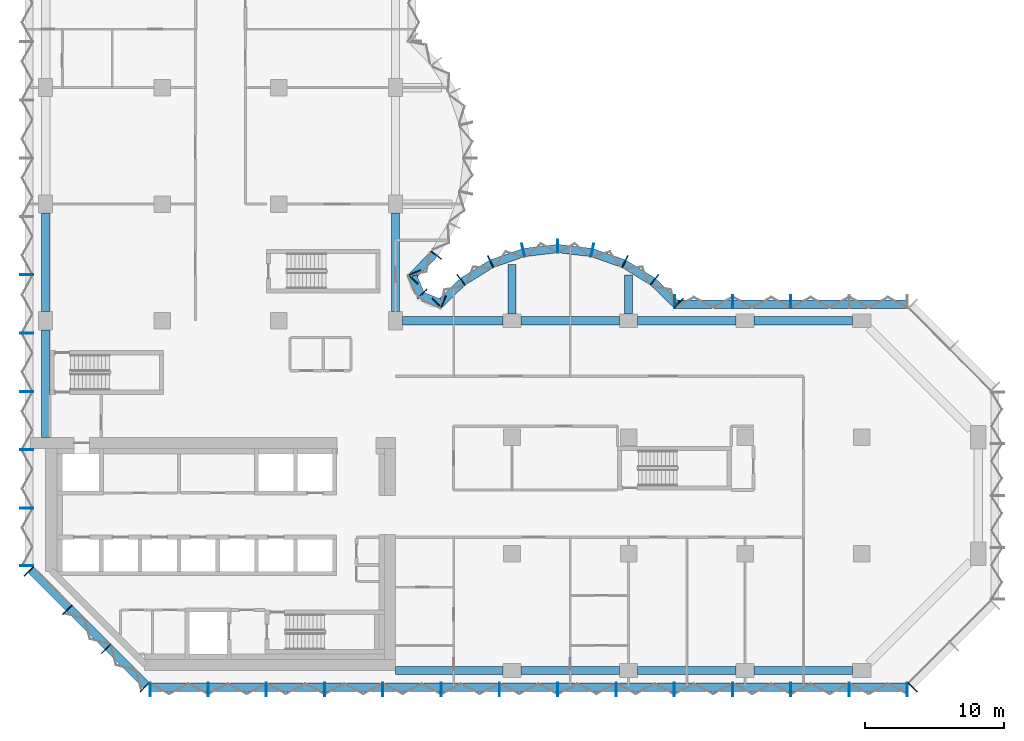
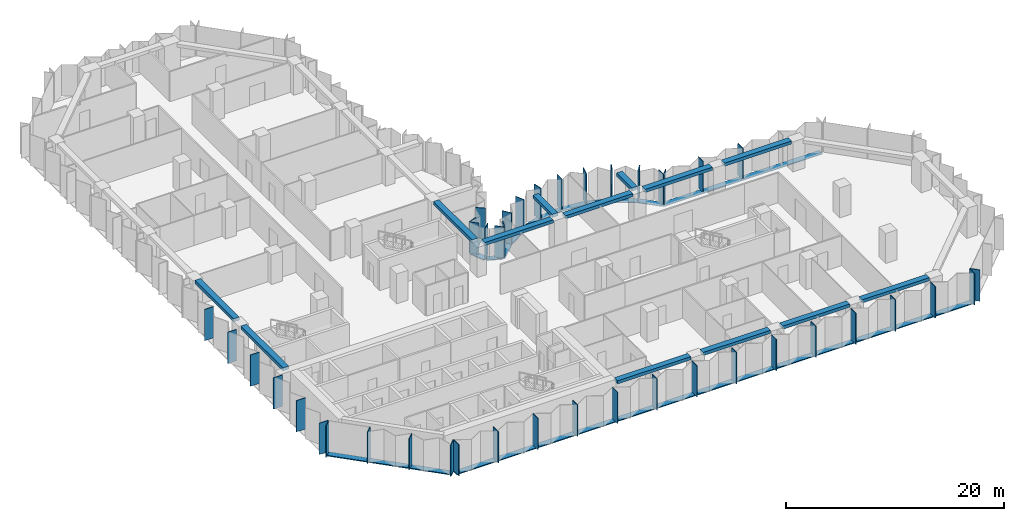
# One storey, part 2 of 13: 56 members, 13 beams, 8 elements without a shape of their own.
"""IFC4 building model written with IfcOpenShell, lengths in metres."""

from ifc_helpers import new_model, si_unit, direction, frame, origin, origin_2d, place, context, subcontext, project, spatial, rectangle, extrude, material, material_profile, profile_set, type_object, element, aggregate, save


model = new_model("IFC4")

# Units and contexts
model_context = context("Model", 3, precision=1e-05, world=origin(), true_north=direction((0.0, 1.0)))
body_context = subcontext(model_context, "Body", "Model", "MODEL_VIEW")
ifc_project = project(units=[si_unit("LENGTHUNIT", "METRE"), si_unit("AREAUNIT", "SQUARE_METRE"), si_unit("VOLUMEUNIT", "CUBIC_METRE"), si_unit("PLANEANGLEUNIT", "RADIAN"), si_unit("MASSUNIT", "GRAM", prefix="KILO")], contexts=[model_context])

# Site, building, storey
site_placement = place(None, origin())
site = spatial("IfcSite", under=ifc_project, at=site_placement, CompositionType="ELEMENT")
building_placement = place(site_placement, origin())
building = spatial("IfcBuilding", under=site, at=building_placement, Name="Brevane Broadcast Tower", CompositionType="ELEMENT")
storey_placement = place(building_placement, frame((0.0, 0.0, 106.10009765625)))
storey = spatial("IfcBuildingStorey", under=building, at=storey_placement, Name="L25", CompositionType="ELEMENT", Elevation=106.10009765625)

# Curtain wall, members
ifc_material_1 = material(Name="Aluminium 6063-T6 bronze anodised", Category="aluminium")
curtain_wall_type = type_object("IfcCurtainWallType", Name="CW-1 curtain wall", PredefinedType="NOTDEFINED", material=ifc_material_1)
curtain_wall_1_placement = place(storey_placement, origin())
curtain_wall_1 = element("IfcCurtainWall", 1, at=curtain_wall_1_placement, inside=storey, type_object=curtain_wall_type, Name="CW-1 typical tilted unit L25 south face", PredefinedType="NOTDEFINED")
ifc_material_profile_1 = material_profile(ifc_material_1, rectangle(XDim=0.949951171875, YDim=0.070068359375, at=origin_2d()), Name="RECT 70x950")
ifc_profile_set_1 = profile_set([ifc_material_profile_1], Name="Aluminium 6063-T6 bronze anodised")
member_type_1 = type_object("IfcMemberType", Name="CW-1 mullion 70x950", PredefinedType="MULLION", material=ifc_profile_set_1)
member_1_placement = place(storey_placement, frame((7.534912109375, -1.375, -0.150146484375), z_axis=(0.0, 0.0, 1.0), x_axis=(0.0, 1.0, 0.0)))
member_1 = element("IfcMember", 2, at=member_1_placement, type_object=member_type_1, Name="CW-1 mullion", PredefinedType="MULLION", context=body_context, shape_type="SweptSolid", body=[
    extrude(rectangle(XDim=0.949951171875, YDim=0.070068359375, at=origin_2d()), origin(), (0.0, 0.0, 1.0), 3.5),
])
member_2_placement = place(storey_placement, frame((11.699951171875, -1.375, -0.150146484375), z_axis=(0.0, 0.0, 1.0), x_axis=(0.0, 1.0, 0.0)))
member_2 = element("IfcMember", 3, at=member_2_placement, type_object=member_type_1, Name="CW-1 mullion", PredefinedType="MULLION", context=body_context, shape_type="SweptSolid", body=[
    extrude(rectangle(XDim=0.949951171875, YDim=0.070068359375, at=origin_2d()), origin(), (0.0, 0.0, 1.0), 3.5),
])
member_3_placement = place(storey_placement, frame((15.89990234375, -1.375, -0.150146484375), z_axis=(0.0, 0.0, 1.0), x_axis=(0.0, 1.0, 0.0)))
member_3 = element("IfcMember", 4, at=member_3_placement, type_object=member_type_1, Name="CW-1 mullion", PredefinedType="MULLION", context=body_context, shape_type="SweptSolid", body=[
    extrude(rectangle(XDim=0.949951171875, YDim=0.070068359375, at=origin_2d()), origin(), (0.0, 0.0, 1.0), 3.5),
])
member_4_placement = place(storey_placement, frame((20.10009765625, -1.375, -0.150146484375), z_axis=(0.0, 0.0, 1.0), x_axis=(0.0, 1.0, 0.0)))
member_4 = element("IfcMember", 5, at=member_4_placement, type_object=member_type_1, Name="CW-1 mullion", PredefinedType="MULLION", context=body_context, shape_type="SweptSolid", body=[
    extrude(rectangle(XDim=0.949951171875, YDim=0.070068359375, at=origin_2d()), origin(), (0.0, 0.0, 1.0), 3.5),
])
member_5_placement = place(storey_placement, frame((24.300048828125, -1.375, -0.150146484375), z_axis=(0.0, 0.0, 1.0), x_axis=(0.0, 1.0, 0.0)))
member_5 = element("IfcMember", 6, at=member_5_placement, type_object=member_type_1, Name="CW-1 mullion", PredefinedType="MULLION", context=body_context, shape_type="SweptSolid", body=[
    extrude(rectangle(XDim=0.949951171875, YDim=0.070068359375, at=origin_2d()), origin(), (0.0, 0.0, 1.0), 3.5),
])
member_6_placement = place(storey_placement, frame((28.5, -1.375, -0.150146484375), z_axis=(0.0, 0.0, 1.0), x_axis=(0.0, 1.0, 0.0)))
member_6 = element("IfcMember", 7, at=member_6_placement, type_object=member_type_1, Name="CW-1 mullion", PredefinedType="MULLION", context=body_context, shape_type="SweptSolid", body=[
    extrude(rectangle(XDim=0.949951171875, YDim=0.070068359375, at=origin_2d()), origin(), (0.0, 0.0, 1.0), 3.5),
])
member_7_placement = place(storey_placement, frame((32.699951171875, -1.375, -0.150146484375), z_axis=(0.0, 0.0, 1.0), x_axis=(0.0, 1.0, 0.0)))
member_7 = element("IfcMember", 8, at=member_7_placement, type_object=member_type_1, Name="CW-1 mullion", PredefinedType="MULLION", context=body_context, shape_type="SweptSolid", body=[
    extrude(rectangle(XDim=0.949951171875, YDim=0.070068359375, at=origin_2d()), origin(), (0.0, 0.0, 1.0), 3.5),
])
member_8_placement = place(storey_placement, frame((36.89990234375, -1.375, -0.150146484375), z_axis=(0.0, 0.0, 1.0), x_axis=(0.0, 1.0, 0.0)))
member_8 = element("IfcMember", 9, at=member_8_placement, type_object=member_type_1, Name="CW-1 mullion", PredefinedType="MULLION", context=body_context, shape_type="SweptSolid", body=[
    extrude(rectangle(XDim=0.949951171875, YDim=0.070068359375, at=origin_2d()), origin(), (0.0, 0.0, 1.0), 3.5),
])
member_9_placement = place(storey_placement, frame((41.10009765625, -1.375, -0.150146484375), z_axis=(0.0, 0.0, 1.0), x_axis=(0.0, 1.0, 0.0)))
member_9 = element("IfcMember", 10, at=member_9_placement, type_object=member_type_1, Name="CW-1 mullion", PredefinedType="MULLION", context=body_context, shape_type="SweptSolid", body=[
    extrude(rectangle(XDim=0.949951171875, YDim=0.070068359375, at=origin_2d()), origin(), (0.0, 0.0, 1.0), 3.5),
])
member_10_placement = place(storey_placement, frame((45.300048828125, -1.375, -0.150146484375), z_axis=(0.0, 0.0, 1.0), x_axis=(0.0, 1.0, 0.0)))
member_10 = element("IfcMember", 11, at=member_10_placement, type_object=member_type_1, Name="CW-1 mullion", PredefinedType="MULLION", context=body_context, shape_type="SweptSolid", body=[
    extrude(rectangle(XDim=0.949951171875, YDim=0.070068359375, at=origin_2d()), origin(), (0.0, 0.0, 1.0), 3.5),
])
member_11_placement = place(storey_placement, frame((49.5, -1.375, -0.150146484375), z_axis=(0.0, 0.0, 1.0), x_axis=(0.0, 1.0, 0.0)))
member_11 = element("IfcMember", 12, at=member_11_placement, type_object=member_type_1, Name="CW-1 mullion", PredefinedType="MULLION", context=body_context, shape_type="SweptSolid", body=[
    extrude(rectangle(XDim=0.949951171875, YDim=0.070068359375, at=origin_2d()), origin(), (0.0, 0.0, 1.0), 3.5),
])
member_12_placement = place(storey_placement, frame((53.699951171875, -1.375, -0.150146484375), z_axis=(0.0, 0.0, 1.0), x_axis=(0.0, 1.0, 0.0)))
member_12 = element("IfcMember", 13, at=member_12_placement, type_object=member_type_1, Name="CW-1 mullion", PredefinedType="MULLION", context=body_context, shape_type="SweptSolid", body=[
    extrude(rectangle(XDim=0.949951171875, YDim=0.070068359375, at=origin_2d()), origin(), (0.0, 0.0, 1.0), 3.5),
])
member_13_placement = place(storey_placement, frame((57.89990234375, -1.375, -0.150146484375), z_axis=(0.0, 0.0, 1.0), x_axis=(0.0, 1.0, 0.0)))
member_13 = element("IfcMember", 14, at=member_13_placement, type_object=member_type_1, Name="CW-1 mullion", PredefinedType="MULLION", context=body_context, shape_type="SweptSolid", body=[
    extrude(rectangle(XDim=0.949951171875, YDim=0.070068359375, at=origin_2d()), origin(), (0.0, 0.0, 1.0), 3.5),
])
member_14_placement = place(storey_placement, frame((62.06494140625, -1.375, -0.150146484375), z_axis=(0.0, 0.0, 1.0), x_axis=(0.0, 1.0, 0.0)))
member_14 = element("IfcMember", 15, at=member_14_placement, type_object=member_type_1, Name="CW-1 mullion", PredefinedType="MULLION", context=body_context, shape_type="SweptSolid", body=[
    extrude(rectangle(XDim=0.949951171875, YDim=0.070068359375, at=origin_2d()), origin(), (0.0, 0.0, 1.0), 3.5),
])

# Curtain wall, member
curtain_wall_2_placement = place(storey_placement, origin())
curtain_wall_2 = element("IfcCurtainWall", 16, at=curtain_wall_2_placement, inside=storey, type_object=curtain_wall_type, Name="CW-1 typical tilted unit L25 south-east chamfer", PredefinedType="NOTDEFINED")
member_15_placement = place(storey_placement, frame((62.460693359375, -1.211181640625, -0.150146484375), z_axis=(0.0, 0.0, 1.0), x_axis=(-0.707106781187, 0.707106781187, 0.0)))
member_15 = element("IfcMember", 17, at=member_15_placement, type_object=member_type_1, Name="CW-1 mullion", PredefinedType="MULLION", context=body_context, shape_type="SweptSolid", body=[
    extrude(rectangle(XDim=0.949951171875, YDim=0.070068359375, at=origin_2d()), origin(), (0.0, 0.0, 1.0), 3.5),
])
aggregate(curtain_wall_2, [member_15])

# Curtain wall, members
curtain_wall_3_placement = place(storey_placement, origin())
curtain_wall_3 = element("IfcCurtainWall", 18, at=curtain_wall_3_placement, inside=storey, type_object=curtain_wall_type, Name="CW-1 typical tilted unit L25 east arm north face", PredefinedType="NOTDEFINED")
member_16_placement = place(storey_placement, frame((53.699951171875, 26.574951171875, -0.150146484375), z_axis=(0.0, 0.0, 1.0), x_axis=(0.0, -1.0, 0.0)))
member_16 = element("IfcMember", 19, at=member_16_placement, type_object=member_type_1, Name="CW-1 mullion", PredefinedType="MULLION", context=body_context, shape_type="SweptSolid", body=[
    extrude(rectangle(XDim=0.949951171875, YDim=0.070068359375, at=origin_2d()), origin(), (0.0, 0.0, 1.0), 3.5),
])
member_17_placement = place(storey_placement, frame((49.5, 26.574951171875, -0.150146484375), z_axis=(0.0, 0.0, 1.0), x_axis=(0.0, -1.0, 0.0)))
member_17 = element("IfcMember", 20, at=member_17_placement, type_object=member_type_1, Name="CW-1 mullion", PredefinedType="MULLION", context=body_context, shape_type="SweptSolid", body=[
    extrude(rectangle(XDim=0.949951171875, YDim=0.070068359375, at=origin_2d()), origin(), (0.0, 0.0, 1.0), 3.5),
])
member_18_placement = place(storey_placement, frame((45.3349609375, 26.574951171875, -0.150146484375), z_axis=(0.0, 0.0, 1.0), x_axis=(0.0, -1.0, 0.0)))
member_18 = element("IfcMember", 21, at=member_18_placement, type_object=member_type_1, Name="CW-1 mullion", PredefinedType="MULLION", context=body_context, shape_type="SweptSolid", body=[
    extrude(rectangle(XDim=0.949951171875, YDim=0.070068359375, at=origin_2d()), origin(), (0.0, 0.0, 1.0), 3.5),
])

curtain_wall_4_placement = place(storey_placement, origin())
curtain_wall_4 = element("IfcCurtainWall", 22, at=curtain_wall_4_placement, inside=storey, type_object=curtain_wall_type, Name="CW-1 typical tilted unit L25 east bow", PredefinedType="NOTDEFINED")
member_19_placement = place(storey_placement, frame((45.60595703125, 26.465087890625, -0.150146484375), z_axis=(0.0, 0.0, 1.0), x_axis=(-0.696811941702, -0.717253872699, 0.0)))
member_19 = element("IfcMember", 23, at=member_19_placement, type_object=member_type_1, Name="CW-1 mullion", PredefinedType="MULLION", context=body_context, shape_type="SweptSolid", body=[
    extrude(rectangle(XDim=0.949951171875, YDim=0.070068359375, at=origin_2d()), origin(), (0.0, 0.0, 1.0), 3.5),
])
member_20_placement = place(storey_placement, frame((43.8720703125, 28.1455078125, -0.150146484375), z_axis=(0.0, 0.0, 1.0), x_axis=(-0.614769738617, -0.788706642853, 0.0)))
member_20 = element("IfcMember", 24, at=member_20_placement, type_object=member_type_1, Name="CW-1 mullion", PredefinedType="MULLION", context=body_context, shape_type="SweptSolid", body=[
    extrude(rectangle(XDim=0.949951171875, YDim=0.070068359375, at=origin_2d()), origin(), (0.0, 0.0, 1.0), 3.5),
])
member_21_placement = place(storey_placement, frame((41.746826171875, 29.4580078125, -0.150146484375), z_axis=(0.0, 0.0, 1.0), x_axis=(-0.429933601163, -0.902860508933, 0.0)))
member_21 = element("IfcMember", 25, at=member_21_placement, type_object=member_type_1, Name="CW-1 mullion", PredefinedType="MULLION", context=body_context, shape_type="SweptSolid", body=[
    extrude(rectangle(XDim=0.949951171875, YDim=0.070068359375, at=origin_2d()), origin(), (0.0, 0.0, 1.0), 3.5),
])
member_22_placement = place(storey_placement, frame((39.38818359375, 30.28076171875, -0.150146484375), z_axis=(0.0, 0.0, 1.0), x_axis=(-0.224806482215, -0.974403430594, 0.0)))
member_22 = element("IfcMember", 26, at=member_22_placement, type_object=member_type_1, Name="CW-1 mullion", PredefinedType="MULLION", context=body_context, shape_type="SweptSolid", body=[
    extrude(rectangle(XDim=0.949951171875, YDim=0.070068359375, at=origin_2d()), origin(), (0.0, 0.0, 1.0), 3.5),
])
member_23_placement = place(storey_placement, frame((36.89990234375, 30.574951171875, -0.150146484375), z_axis=(0.0, 0.0, 1.0), x_axis=(0.0, -1.0, 0.0)))
member_23 = element("IfcMember", 27, at=member_23_placement, type_object=member_type_1, Name="CW-1 mullion", PredefinedType="MULLION", context=body_context, shape_type="SweptSolid", body=[
    extrude(rectangle(XDim=0.949951171875, YDim=0.070068359375, at=origin_2d()), origin(), (0.0, 0.0, 1.0), 3.5),
])
member_24_placement = place(storey_placement, frame((34.411865234375, 30.28076171875, -0.150146484375), z_axis=(0.0, 0.0, 1.0), x_axis=(0.224806482215, -0.974403430594, 0.0)))
member_24 = element("IfcMember", 28, at=member_24_placement, type_object=member_type_1, Name="CW-1 mullion", PredefinedType="MULLION", context=body_context, shape_type="SweptSolid", body=[
    extrude(rectangle(XDim=0.949951171875, YDim=0.070068359375, at=origin_2d()), origin(), (0.0, 0.0, 1.0), 3.5),
])
member_25_placement = place(storey_placement, frame((32.05322265625, 29.4580078125, -0.150146484375), z_axis=(0.0, 0.0, 1.0), x_axis=(0.429933601163, -0.902860508933, 0.0)))
member_25 = element("IfcMember", 29, at=member_25_placement, type_object=member_type_1, Name="CW-1 mullion", PredefinedType="MULLION", context=body_context, shape_type="SweptSolid", body=[
    extrude(rectangle(XDim=0.949951171875, YDim=0.070068359375, at=origin_2d()), origin(), (0.0, 0.0, 1.0), 3.5),
])
member_26_placement = place(storey_placement, frame((29.927978515625, 28.1455078125, -0.150146484375), z_axis=(0.0, 0.0, 1.0), x_axis=(0.614769738617, -0.788706642853, 0.0)))
member_26 = element("IfcMember", 30, at=member_26_placement, type_object=member_type_1, Name="CW-1 mullion", PredefinedType="MULLION", context=body_context, shape_type="SweptSolid", body=[
    extrude(rectangle(XDim=0.949951171875, YDim=0.070068359375, at=origin_2d()), origin(), (0.0, 0.0, 1.0), 3.5),
])
member_27_placement = place(storey_placement, frame((28.194091796875, 26.465087890625, -0.150146484375), z_axis=(0.0, 0.0, 1.0), x_axis=(0.696811941702, -0.717253872699, 0.0)))
member_27 = element("IfcMember", 31, at=member_27_placement, type_object=member_type_1, Name="CW-1 mullion", PredefinedType="MULLION", context=body_context, shape_type="SweptSolid", body=[
    extrude(rectangle(XDim=0.949951171875, YDim=0.070068359375, at=origin_2d()), origin(), (0.0, 0.0, 1.0), 3.5),
])

curtain_wall_5_placement = place(storey_placement, origin())
curtain_wall_5 = element("IfcCurtainWall", 32, at=curtain_wall_5_placement, inside=storey, type_object=curtain_wall_type, Name="CW-1 typical tilted unit L25 inner corner", PredefinedType="NOTDEFINED")
member_28_placement = place(storey_placement, frame((28.6494140625, 26.55224609375, -0.150146484375), z_axis=(0.0, 0.0, 1.0), x_axis=(-0.382683612978, -0.923879457699, 0.0)))
member_28 = element("IfcMember", 33, at=member_28_placement, type_object=member_type_1, Name="CW-1 mullion", PredefinedType="MULLION", context=body_context, shape_type="SweptSolid", body=[
    extrude(rectangle(XDim=0.949951171875, YDim=0.070068359375, at=origin_2d()), origin(), (0.0, 0.0, 1.0), 3.5),
])
member_29_placement = place(storey_placement, frame((27.138916015625, 27.138916015625, -0.150146484375), z_axis=(0.0, 0.0, 1.0), x_axis=(-0.707106781187, -0.707106781187, 0.0)))
member_29 = element("IfcMember", 34, at=member_29_placement, type_object=member_type_1, Name="CW-1 mullion", PredefinedType="MULLION", context=body_context, shape_type="SweptSolid", body=[
    extrude(rectangle(XDim=0.949951171875, YDim=0.070068359375, at=origin_2d()), origin(), (0.0, 0.0, 1.0), 3.5),
])
member_30_placement = place(storey_placement, frame((26.55224609375, 28.6494140625, -0.150146484375), z_axis=(0.0, 0.0, 1.0), x_axis=(-0.923879457699, -0.382683612978, 0.0)))
member_30 = element("IfcMember", 35, at=member_30_placement, type_object=member_type_1, Name="CW-1 mullion", PredefinedType="MULLION", context=body_context, shape_type="SweptSolid", body=[
    extrude(rectangle(XDim=0.949951171875, YDim=0.070068359375, at=origin_2d()), origin(), (0.0, 0.0, 1.0), 3.5),
])

curtain_wall_6_placement = place(storey_placement, origin())
curtain_wall_6 = element("IfcCurtainWall", 36, at=curtain_wall_6_placement, inside=storey, type_object=curtain_wall_type, Name="CW-1 typical tilted unit L25 north bow", PredefinedType="NOTDEFINED")
member_31_placement = place(storey_placement, frame((26.465087890625, 28.194091796875, -0.150146484375), z_axis=(0.0, 0.0, 1.0), x_axis=(-0.717253872699, 0.696811941702, 0.0)))
member_31 = element("IfcMember", 37, at=member_31_placement, type_object=member_type_1, Name="CW-1 mullion", PredefinedType="MULLION", context=body_context, shape_type="SweptSolid", body=[
    extrude(rectangle(XDim=0.949951171875, YDim=0.070068359375, at=origin_2d()), origin(), (0.0, 0.0, 1.0), 3.5),
])
member_32_placement = place(storey_placement, frame((28.1455078125, 29.927978515625, -0.150146484375), z_axis=(0.0, 0.0, 1.0), x_axis=(-0.788706642853, 0.614769738617, 0.0)))
member_32 = element("IfcMember", 38, at=member_32_placement, type_object=member_type_1, Name="CW-1 mullion", PredefinedType="MULLION", context=body_context, shape_type="SweptSolid", body=[
    extrude(rectangle(XDim=0.949951171875, YDim=0.070068359375, at=origin_2d()), origin(), (0.0, 0.0, 1.0), 3.5),
])

curtain_wall_7_placement = place(storey_placement, origin())
curtain_wall_7 = element("IfcCurtainWall", 39, at=curtain_wall_7_placement, inside=storey, type_object=curtain_wall_type, Name="CW-1 typical tilted unit L25 west face", PredefinedType="NOTDEFINED")
member_33_placement = place(storey_placement, frame((-1.375, 28.5, -0.150146484375), z_axis=(0.0, 0.0, 1.0), x_axis=(1.0, 0.0, 0.0)))
member_33 = element("IfcMember", 40, at=member_33_placement, type_object=member_type_1, Name="CW-1 mullion", PredefinedType="MULLION", context=body_context, shape_type="SweptSolid", body=[
    extrude(rectangle(XDim=0.949951171875, YDim=0.070068359375, at=origin_2d()), origin(), (0.0, 0.0, 1.0), 3.5),
])
member_34_placement = place(storey_placement, frame((-1.375, 24.300048828125, -0.150146484375), z_axis=(0.0, 0.0, 1.0), x_axis=(1.0, 0.0, 0.0)))
member_34 = element("IfcMember", 41, at=member_34_placement, type_object=member_type_1, Name="CW-1 mullion", PredefinedType="MULLION", context=body_context, shape_type="SweptSolid", body=[
    extrude(rectangle(XDim=0.949951171875, YDim=0.070068359375, at=origin_2d()), origin(), (0.0, 0.0, 1.0), 3.5),
])
member_35_placement = place(storey_placement, frame((-1.375, 20.10009765625, -0.150146484375), z_axis=(0.0, 0.0, 1.0), x_axis=(1.0, 0.0, 0.0)))
member_35 = element("IfcMember", 42, at=member_35_placement, type_object=member_type_1, Name="CW-1 mullion", PredefinedType="MULLION", context=body_context, shape_type="SweptSolid", body=[
    extrude(rectangle(XDim=0.949951171875, YDim=0.070068359375, at=origin_2d()), origin(), (0.0, 0.0, 1.0), 3.5),
])
member_36_placement = place(storey_placement, frame((-1.375, 15.89990234375, -0.150146484375), z_axis=(0.0, 0.0, 1.0), x_axis=(1.0, 0.0, 0.0)))
member_36 = element("IfcMember", 43, at=member_36_placement, type_object=member_type_1, Name="CW-1 mullion", PredefinedType="MULLION", context=body_context, shape_type="SweptSolid", body=[
    extrude(rectangle(XDim=0.949951171875, YDim=0.070068359375, at=origin_2d()), origin(), (0.0, 0.0, 1.0), 3.5),
])
member_37_placement = place(storey_placement, frame((-1.375, 11.699951171875, -0.150146484375), z_axis=(0.0, 0.0, 1.0), x_axis=(1.0, 0.0, 0.0)))
member_37 = element("IfcMember", 44, at=member_37_placement, type_object=member_type_1, Name="CW-1 mullion", PredefinedType="MULLION", context=body_context, shape_type="SweptSolid", body=[
    extrude(rectangle(XDim=0.949951171875, YDim=0.070068359375, at=origin_2d()), origin(), (0.0, 0.0, 1.0), 3.5),
])
member_38_placement = place(storey_placement, frame((-1.375, 7.534912109375, -0.150146484375), z_axis=(0.0, 0.0, 1.0), x_axis=(1.0, 0.0, 0.0)))
member_38 = element("IfcMember", 45, at=member_38_placement, type_object=member_type_1, Name="CW-1 mullion", PredefinedType="MULLION", context=body_context, shape_type="SweptSolid", body=[
    extrude(rectangle(XDim=0.949951171875, YDim=0.070068359375, at=origin_2d()), origin(), (0.0, 0.0, 1.0), 3.5),
])
aggregate(curtain_wall_7, [member_33, member_34, member_35, member_36, member_37, member_38])

curtain_wall_8_placement = place(storey_placement, origin())
curtain_wall_8 = element("IfcCurtainWall", 46, at=curtain_wall_8_placement, inside=storey, type_object=curtain_wall_type, Name="CW-1 typical tilted unit L25 south-west chamfer", PredefinedType="NOTDEFINED")
member_39_placement = place(storey_placement, frame((-1.211181640625, 7.139404296875, -0.150146484375), z_axis=(0.0, 0.0, 1.0), x_axis=(0.707106781187, 0.707106781187, 0.0)))
member_39 = element("IfcMember", 47, at=member_39_placement, type_object=member_type_1, Name="CW-1 mullion", PredefinedType="MULLION", context=body_context, shape_type="SweptSolid", body=[
    extrude(rectangle(XDim=0.949951171875, YDim=0.070068359375, at=origin_2d()), origin(), (0.0, 0.0, 1.0), 3.5),
])
member_40_placement = place(storey_placement, frame((1.564208984375, 4.364013671875, -0.150146484375), z_axis=(0.0, 0.0, 1.0), x_axis=(0.707106781187, 0.707106781187, 0.0)))
member_40 = element("IfcMember", 48, at=member_40_placement, type_object=member_type_1, Name="CW-1 mullion", PredefinedType="MULLION", context=body_context, shape_type="SweptSolid", body=[
    extrude(rectangle(XDim=0.949951171875, YDim=0.070068359375, at=origin_2d()), origin(), (0.0, 0.0, 1.0), 3.5),
])
member_41_placement = place(storey_placement, frame((4.364013671875, 1.564208984375, -0.150146484375), z_axis=(0.0, 0.0, 1.0), x_axis=(0.707106781187, 0.707106781187, 0.0)))
member_41 = element("IfcMember", 49, at=member_41_placement, type_object=member_type_1, Name="CW-1 mullion", PredefinedType="MULLION", context=body_context, shape_type="SweptSolid", body=[
    extrude(rectangle(XDim=0.949951171875, YDim=0.070068359375, at=origin_2d()), origin(), (0.0, 0.0, 1.0), 3.5),
])
member_42_placement = place(storey_placement, frame((7.139404296875, -1.211181640625, -0.150146484375), z_axis=(0.0, 0.0, 1.0), x_axis=(0.707106781187, 0.707106781187, 0.0)))
member_42 = element("IfcMember", 50, at=member_42_placement, type_object=member_type_1, Name="CW-1 mullion", PredefinedType="MULLION", context=body_context, shape_type="SweptSolid", body=[
    extrude(rectangle(XDim=0.949951171875, YDim=0.070068359375, at=origin_2d()), origin(), (0.0, 0.0, 1.0), 3.5),
])

# Member
ifc_material_profile_2 = material_profile(ifc_material_1, rectangle(XDim=0.60009765625, YDim=0.10009765625, at=origin_2d()), Name="RECT 100x600")
ifc_profile_set_2 = profile_set([ifc_material_profile_2], Name="Aluminium 6063-T6 bronze anodised")
member_type_2 = type_object("IfcMemberType", Name="CW-1 transom 100x600", PredefinedType="USERDEFINED", material=ifc_profile_set_2)
member_43_placement = place(storey_placement, frame((7.5, -1.199951171875, -0.2001953125), z_axis=(1.0, 0.0, 0.0), x_axis=(0.0, 1.0, 0.0)))
member_43 = element("IfcMember", 51, at=member_43_placement, type_object=member_type_2, Name="CW-1 transom", ObjectType="TRANSOM", PredefinedType="USERDEFINED", context=body_context, shape_type="SweptSolid", body=[
    extrude(rectangle(XDim=0.60009765625, YDim=0.10009765625, at=origin_2d()), origin(), (0.0, 0.0, 1.0), 54.60009765625),
])

aggregate(curtain_wall_1, [member_1, member_2, member_3, member_4, member_5, member_6, member_7, member_8, member_9, member_10, member_11, member_12, member_13, member_14, member_43])

member_44_placement = place(storey_placement, frame((62.10009765625, 26.39990234375, -0.2001953125), z_axis=(-1.0, 0.0, 0.0), x_axis=(0.0, -1.0, 0.0)))
member_44 = element("IfcMember", 52, at=member_44_placement, type_object=member_type_2, Name="CW-1 transom", ObjectType="TRANSOM", PredefinedType="USERDEFINED", context=body_context, shape_type="SweptSolid", body=[
    extrude(rectangle(XDim=0.60009765625, YDim=0.10009765625, at=origin_2d()), origin(), (0.0, 0.0, 1.0), 16.800048828125),
])

aggregate(curtain_wall_3, [member_16, member_17, member_18, member_44])

member_45_placement = place(storey_placement, frame((45.412841796875, 26.407958984375, -0.2001953125), z_axis=(-0.71724215871, 0.696823999134, 0.0), x_axis=(-0.696823999134, -0.71724215871, 0.0)))
member_45 = element("IfcMember", 53, at=member_45_placement, type_object=member_type_2, Name="CW-1 transom", ObjectType="TRANSOM", PredefinedType="USERDEFINED", context=body_context, shape_type="SweptSolid", body=[
    extrude(rectangle(XDim=0.60009765625, YDim=0.10009765625, at=origin_2d()), origin(), (0.0, 0.0, 1.0), 2.247802734375),
])

member_46_placement = place(storey_placement, frame((43.7421875, 28.023193359375, -0.2001953125), z_axis=(-0.850810063131, 0.525473345162, 0.0), x_axis=(-0.525473345162, -0.850810063131, 0.0)))
member_46 = element("IfcMember", 54, at=member_46_placement, type_object=member_type_2, Name="CW-1 transom", ObjectType="TRANSOM", PredefinedType="USERDEFINED", context=body_context, shape_type="SweptSolid", body=[
    extrude(rectangle(XDim=0.60009765625, YDim=0.10009765625, at=origin_2d()), origin(), (0.0, 0.0, 1.0), 2.39453125),
])

member_47_placement = place(storey_placement, frame((41.63623046875, 29.314208984375, -0.2001953125), z_axis=(-0.944197969542, 0.329378497041, 0.0), x_axis=(-0.329378497041, -0.944197969542, 0.0)))
member_47 = element("IfcMember", 55, at=member_47_placement, type_object=member_type_2, Name="CW-1 transom", ObjectType="TRANSOM", PredefinedType="USERDEFINED", context=body_context, shape_type="SweptSolid", body=[
    extrude(rectangle(XDim=0.60009765625, YDim=0.10009765625, at=origin_2d()), origin(), (0.0, 0.0, 1.0), 2.394775390625),
])

member_48_placement = place(storey_placement, frame((39.30029296875, 30.117431640625, -0.2001953125), z_axis=(-0.993062061831, 0.117591417, 0.0), x_axis=(-0.117591417, -0.993062061831, 0.0)))
member_48 = element("IfcMember", 56, at=member_48_placement, type_object=member_type_2, Name="CW-1 transom", ObjectType="TRANSOM", PredefinedType="USERDEFINED", context=body_context, shape_type="SweptSolid", body=[
    extrude(rectangle(XDim=0.60009765625, YDim=0.10009765625, at=origin_2d()), origin(), (0.0, 0.0, 1.0), 2.39794921875),
])

member_49_placement = place(storey_placement, frame((36.880859375, 30.3994140625, -0.2001953125), z_axis=(-0.993060653805, -0.117603307202, 0.0), x_axis=(0.117603307202, -0.993060653805, 0.0)))
member_49 = element("IfcMember", 57, at=member_49_placement, type_object=member_type_2, Name="CW-1 transom", ObjectType="TRANSOM", PredefinedType="USERDEFINED", context=body_context, shape_type="SweptSolid", body=[
    extrude(rectangle(XDim=0.60009765625, YDim=0.10009765625, at=origin_2d()), origin(), (0.0, 0.0, 1.0), 2.397705078125),
])

member_50_placement = place(storey_placement, frame((34.425048828125, 30.10302734375, -0.2001953125), z_axis=(-0.944197969542, -0.329378497041, 0.0), x_axis=(0.329378497041, -0.944197969542, 0.0)))
member_50 = element("IfcMember", 58, at=member_50_placement, type_object=member_type_2, Name="CW-1 transom", ObjectType="TRANSOM", PredefinedType="USERDEFINED", context=body_context, shape_type="SweptSolid", body=[
    extrude(rectangle(XDim=0.60009765625, YDim=0.10009765625, at=origin_2d()), origin(), (0.0, 0.0, 1.0), 2.394775390625),
])

member_51_placement = place(storey_placement, frame((32.09521484375, 29.281494140625, -0.2001953125), z_axis=(-0.850838211365, -0.525427766759, 0.0), x_axis=(0.525427766759, -0.850838211365, 0.0)))
member_51 = element("IfcMember", 59, at=member_51_placement, type_object=member_type_2, Name="CW-1 transom", ObjectType="TRANSOM", PredefinedType="USERDEFINED", context=body_context, shape_type="SweptSolid", body=[
    extrude(rectangle(XDim=0.60009765625, YDim=0.10009765625, at=origin_2d()), origin(), (0.0, 0.0, 1.0), 2.394775390625),
])

member_52_placement = place(storey_placement, frame((29.99951171875, 27.974365234375, -0.2001953125), z_axis=(-0.71724215871, -0.696823999134, 0.0), x_axis=(0.696823999134, -0.71724215871, 0.0)))
member_52 = element("IfcMember", 60, at=member_52_placement, type_object=member_type_2, Name="CW-1 transom", ObjectType="TRANSOM", PredefinedType="USERDEFINED", context=body_context, shape_type="SweptSolid", body=[
    extrude(rectangle(XDim=0.60009765625, YDim=0.10009765625, at=origin_2d()), origin(), (0.0, 0.0, 1.0), 2.247802734375),
])

aggregate(curtain_wall_4, [member_19, member_20, member_21, member_22, member_23, member_24, member_25, member_26, member_27, member_45, member_46, member_47, member_48, member_49, member_50, member_51, member_52])

member_53_placement = place(storey_placement, frame((28.528076171875, 26.40673828125, -0.2001953125), z_axis=(-0.923883243627, 0.382674472816, 0.0), x_axis=(-0.382674472816, -0.923883243627, 0.0)))
member_53 = element("IfcMember", 61, at=member_53_placement, type_object=member_type_2, Name="CW-1 transom", ObjectType="TRANSOM", PredefinedType="USERDEFINED", context=body_context, shape_type="SweptSolid", body=[
    extrude(rectangle(XDim=0.60009765625, YDim=0.10009765625, at=origin_2d()), origin(), (0.0, 0.0, 1.0), 1.536865234375),
])

member_54_placement = place(storey_placement, frame((27.039794921875, 27.0, -0.2001953125), z_axis=(-0.382674472816, 0.923883243627, 0.0), x_axis=(-0.923883243627, -0.382674472816, 0.0)))
member_54 = element("IfcMember", 62, at=member_54_placement, type_object=member_type_2, Name="CW-1 transom", ObjectType="TRANSOM", PredefinedType="USERDEFINED", context=body_context, shape_type="SweptSolid", body=[
    extrude(rectangle(XDim=0.60009765625, YDim=0.10009765625, at=origin_2d()), origin(), (0.0, 0.0, 1.0), 1.536865234375),
])

aggregate(curtain_wall_5, [member_28, member_29, member_30, member_53, member_54])

member_55_placement = place(storey_placement, frame((26.407958984375, 28.38720703125, -0.2001953125), z_axis=(0.696823999134, 0.71724215871, 0.0), x_axis=(-0.71724215871, 0.696823999134, 0.0)))
member_55 = element("IfcMember", 63, at=member_55_placement, type_object=member_type_2, Name="CW-1 transom", ObjectType="TRANSOM", PredefinedType="USERDEFINED", context=body_context, shape_type="SweptSolid", body=[
    extrude(rectangle(XDim=0.60009765625, YDim=0.10009765625, at=origin_2d()), origin(), (0.0, 0.0, 1.0), 2.247802734375),
])

aggregate(curtain_wall_6, [member_31, member_32, member_55])

member_56_placement = place(storey_placement, frame((-1.112060546875, 7.287841796875, -0.2001953125), z_axis=(0.707106781187, -0.707106781187, 0.0), x_axis=(0.707106781187, 0.707106781187, 0.0)))
member_56 = element("IfcMember", 64, at=member_56_placement, type_object=member_type_2, Name="CW-1 transom", ObjectType="TRANSOM", PredefinedType="USERDEFINED", context=body_context, shape_type="SweptSolid", body=[
    extrude(rectangle(XDim=0.60009765625, YDim=0.10009765625, at=origin_2d()), origin(), (0.0, 0.0, 1.0), 11.879150390625),
])

aggregate(curtain_wall_8, [member_39, member_40, member_41, member_42, member_56])

# Beams
ifc_material_2 = material(Name="Concrete C40/50", Category="concrete")
ifc_material_profile_3 = material_profile(ifc_material_2, rectangle(XDim=0.60009765625, YDim=0.35009765625, at=origin_2d()), Name="RC 600x350")
ifc_profile_set_3 = profile_set([ifc_material_profile_3], Name="Concrete C40/50")
beam_type_1 = type_object("IfcBeamType", Name="RC BRACKET BEAM 600x350 C40/50", PredefinedType="BEAM", material=ifc_profile_set_3)
beam_1_placement = place(storey_placement, frame((33.60009765625, 25.699951171875, 3.1748046875), z_axis=(0.0, 1.0, 0.0), x_axis=(-1.0, 0.0, 0.0)))
element("IfcBeam", 65, at=beam_1_placement, inside=storey, type_object=beam_type_1, Name="EB2 L25-3", PredefinedType="BEAM", context=body_context, shape_type="SweptSolid", body=[
    extrude(rectangle(XDim=0.60009765625, YDim=0.35009765625, at=origin_2d()), origin(), (0.0, 0.0, 1.0), 3.56201171875),
])
beam_2_placement = place(storey_placement, frame((42.0, 25.699951171875, 3.1748046875), z_axis=(0.0, 1.0, 0.0), x_axis=(-1.0, 0.0, 0.0)))
element("IfcBeam", 66, at=beam_2_placement, inside=storey, type_object=beam_type_1, Name="EB2 L25-4", PredefinedType="BEAM", context=body_context, shape_type="SweptSolid", body=[
    extrude(rectangle(XDim=0.60009765625, YDim=0.35009765625, at=origin_2d()), origin(), (0.0, 0.0, 1.0), 2.8115234375),
])
ifc_material_profile_4 = material_profile(ifc_material_2, rectangle(XDim=0.60009765625, YDim=0.35009765625, at=origin_2d()), Name="RC 600x350")
ifc_profile_set_4 = profile_set([ifc_material_profile_4], Name="Concrete C40/50")
beam_type_2 = type_object("IfcBeamType", Name="RC SPANDREL BEAM 600x350 C40/50", PredefinedType="SPANDREL", material=ifc_profile_set_4)
beam_3_placement = place(storey_placement, frame((25.199951171875, 0.0, 3.1748046875), z_axis=(1.0, 0.0, 0.0), x_axis=(0.0, 1.0, 0.0)))
element("IfcBeam", 67, at=beam_3_placement, inside=storey, type_object=beam_type_2, Name="EB1 L25-1", PredefinedType="SPANDREL", context=body_context, shape_type="SweptSolid", body=[
    extrude(rectangle(XDim=0.60009765625, YDim=0.35009765625, at=origin_2d()), origin(), (0.0, 0.0, 1.0), 7.75),
])
for number, where, z_axis, x_axis, name in (
    (68, (34.25, 0.0, 3.1748046875), (1.0, 0.0, 0.0), (0.0, 1.0, 0.0), "EB1 L25-2"),
    (69, (42.64990234375, 0.0, 3.1748046875), (1.0, 0.0, 0.0), (0.0, 1.0, 0.0), "EB1 L25-3"),
):
    element("IfcBeam", number, at=place(storey_placement, frame(where, z_axis=z_axis, x_axis=x_axis)), inside=storey, type_object=beam_type_2, Name=name, PredefinedType="SPANDREL", context=body_context, shape_type="SweptSolid", body=[
        extrude(rectangle(XDim=0.60009765625, YDim=0.35009765625, at=origin_2d()), origin(), (0.0, 0.0, 1.0), 7.10009765625),
    ])
for number, where, z_axis, x_axis, name in (
    (70, (51.050048828125, 0.0, 3.1748046875), (1.0, 0.0, 0.0), (0.0, 1.0, 0.0), "EB1 L25-4"),
    (71, (58.14990234375, 25.199951171875, 3.1748046875), (-1.0, 0.0, 0.0), (0.0, -1.0, 0.0), "EB1 L25-8"),
):
    element("IfcBeam", number, at=place(storey_placement, frame(where, z_axis=z_axis, x_axis=x_axis)), inside=storey, type_object=beam_type_2, Name=name, PredefinedType="SPANDREL", context=body_context, shape_type="SweptSolid", body=[
        extrude(rectangle(XDim=0.60009765625, YDim=0.35009765625, at=origin_2d()), origin(), (0.0, 0.0, 1.0), 7.099853515625),
    ])
for number, where, z_axis, x_axis, name in (
    (72, (49.75, 25.199951171875, 3.1748046875), (-1.0, 0.0, 0.0), (0.0, -1.0, 0.0), "EB1 L25-9"),
    (73, (41.35009765625, 25.199951171875, 3.1748046875), (-1.0, 0.0, 0.0), (0.0, -1.0, 0.0), "EB1 L25-10"),
):
    element("IfcBeam", number, at=place(storey_placement, frame(where, z_axis=z_axis, x_axis=x_axis)), inside=storey, type_object=beam_type_2, Name=name, PredefinedType="SPANDREL", context=body_context, shape_type="SweptSolid", body=[
        extrude(rectangle(XDim=0.60009765625, YDim=0.35009765625, at=origin_2d()), origin(), (0.0, 0.0, 1.0), 7.10009765625),
    ])
beam_4_placement = place(storey_placement, frame((32.949951171875, 25.199951171875, 3.1748046875), z_axis=(-1.0, 0.0, 0.0), x_axis=(0.0, -1.0, 0.0)))
element("IfcBeam", 74, at=beam_4_placement, inside=storey, type_object=beam_type_2, Name="EB1 L25-11", PredefinedType="SPANDREL", context=body_context, shape_type="SweptSolid", body=[
    extrude(rectangle(XDim=0.60009765625, YDim=0.35009765625, at=origin_2d()), origin(), (0.0, 0.0, 1.0), 7.25),
])
for number, where, z_axis, x_axis, name in (
    (75, (25.199951171875, 25.85009765625, 3.1748046875), (0.0, 1.0, 0.0), (-1.0, 0.0, 0.0), "EB1 L25-12"),
    (76, (0.0, 32.949951171875, 3.1748046875), (0.0, -1.0, 0.0), (1.0, 0.0, 0.0), "EB1 L25-22"),
):
    element("IfcBeam", number, at=place(storey_placement, frame(where, z_axis=z_axis, x_axis=x_axis)), inside=storey, type_object=beam_type_2, Name=name, PredefinedType="SPANDREL", context=body_context, shape_type="SweptSolid", body=[
        extrude(rectangle(XDim=0.60009765625, YDim=0.35009765625, at=origin_2d()), origin(), (0.0, 0.0, 1.0), 7.099853515625),
    ])
beam_5_placement = place(storey_placement, frame((0.0, 24.550048828125, 3.1748046875), z_axis=(0.0, -1.0, 0.0), x_axis=(1.0, 0.0, 0.0)))
element("IfcBeam", 77, at=beam_5_placement, inside=storey, type_object=beam_type_2, Name="EB1 L25-23", PredefinedType="SPANDREL", context=body_context, shape_type="SweptSolid", body=[
    extrude(rectangle(XDim=0.60009765625, YDim=0.35009765625, at=origin_2d()), origin(), (0.0, 0.0, 1.0), 7.75),
])

save(model, "model.ifc")
